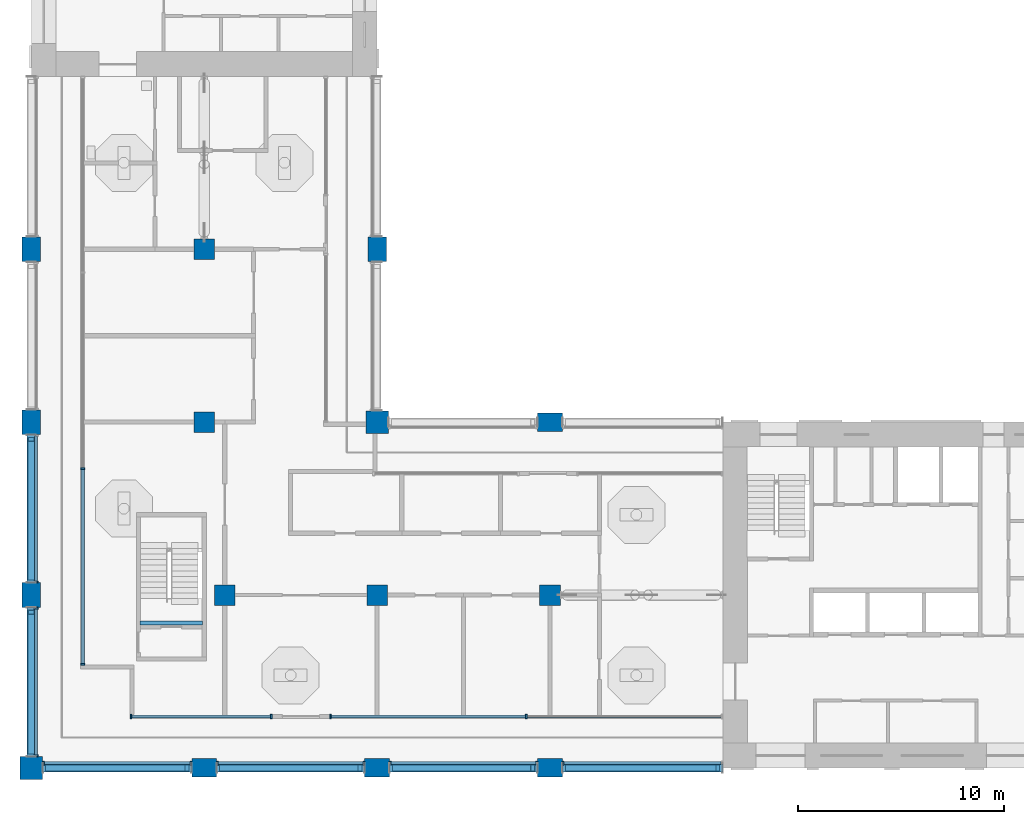
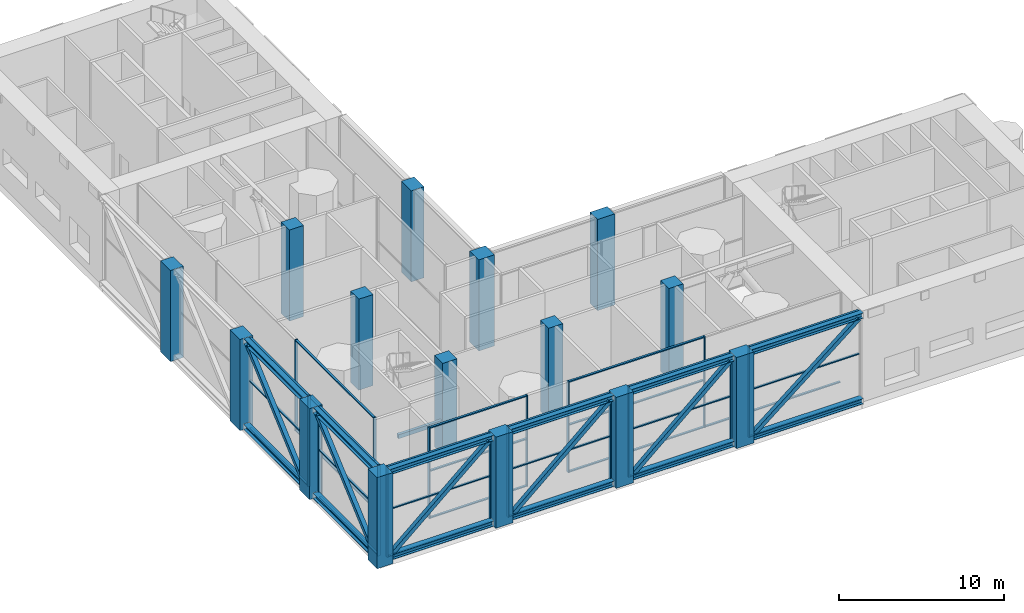
# One storey, part 1 of 20: 62 members, 15 columns, 1 beam, 9 elements without a shape of their own.
"""IFC4 building model written with IfcOpenShell, lengths in metres."""

import ifcopenshell
import ifcopenshell.guid

model = None  # the IFC model being written
_history = None  # IfcOwnerHistory: only IFC2X3 demands one
_inside = {}  # id of a spatial element -> (the spatial element, [elements in it])
_under = {}  # id of a project, library or spatial element -> (it, [spatial elements below it])
_declared = {}  # id of a project -> (the project, [libraries it declares])
_typed = {}  # id of a type object -> (the type object, [elements of that type])
_made_of = {}  # id of a material, layer set ... -> (it, [elements and type objects made of it])


def new_model(schema):
    """Start an empty IFC model of exactly this schema.

    Asked for "IFC4X3", IfcOpenShell would pick the latest addendum, in which some entities
    have other attributes; the version numbers below select the first issue.
    IFC2X3 requires an IfcOwnerHistory on every rooted entity: one is made here for all.
    """
    global model, _history
    if schema == "IFC4X3":
        model = ifcopenshell.file(schema_version=(4, 3, 0, 0))
    else:
        model = ifcopenshell.file(schema=schema)
    _inside.clear()
    _under.clear()
    _declared.clear()
    _typed.clear()
    _made_of.clear()
    _history = None
    if model.schema == "IFC2X3":
        org = make("IfcOrganization", Name="unknown")
        user = make(
            "IfcPersonAndOrganization",
            ThePerson=make("IfcPerson", FamilyName="unknown"),
            TheOrganization=org,
        )
        app = make(
            "IfcApplication",
            ApplicationDeveloper=org,
            Version="unknown",
            ApplicationFullName="unknown",
            ApplicationIdentifier="unknown",
        )
        _history = make(
            "IfcOwnerHistory",
            OwningUser=user,
            OwningApplication=app,
            ChangeAction="ADDED",
            CreationDate=0,
        )
    return model


def make(cls, **values):
    """One entity of the class cls with the attributes given. An attribute that is None is left unset."""
    return model.create_entity(
        cls, **{name: value for name, value in values.items() if value is not None}
    )


def rooted(cls, **values):
    """An entity with a GlobalId (a new one), such as an element, a storey or a relation."""
    return make(cls, GlobalId=ifcopenshell.guid.new(), OwnerHistory=_history, **values)


def si_unit(unit_type, name, prefix=None):
    """IfcSIUnit, for example si_unit("LENGTHUNIT", "METRE", prefix="MILLI")."""
    return make("IfcSIUnit", UnitType=unit_type, Prefix=prefix, Name=name)


def assignment(units):
    """IfcUnitAssignment: the units of a project."""
    return None if units is None else make("IfcUnitAssignment", Units=units)


def point(xyz):
    """IfcCartesianPoint."""
    return None if xyz is None else make("IfcCartesianPoint", Coordinates=xyz)


def direction(xyz):
    """IfcDirection."""
    return None if xyz is None else make("IfcDirection", DirectionRatios=xyz)


def frame(location, z_axis=None, x_axis=None):
    """IfcAxis2Placement3D, a coordinate frame: its origin and axes. An axis left out is left unset."""
    return make(
        "IfcAxis2Placement3D",
        Location=point(location),
        Axis=direction(z_axis),
        RefDirection=direction(x_axis),
    )


def frame_2d(location, x_axis=None):
    """IfcAxis2Placement2D, a coordinate frame in the plane: its origin and x axis."""
    return make(
        "IfcAxis2Placement2D", Location=point(location), RefDirection=direction(x_axis)
    )


def origin():
    """The frame at (0, 0, 0) with its axes left unset."""
    return frame((0.0, 0.0, 0.0))


def origin_2d():
    """The frame at (0, 0) in the plane with its x axis left unset."""
    return frame_2d((0.0, 0.0))


def place(relative_to, where):
    """IfcLocalPlacement: puts the frame where relative to a parent placement (None: the world)."""
    return make(
        "IfcLocalPlacement", PlacementRelTo=relative_to, RelativePlacement=where
    )


def context(
    kind, dimensions, precision=None, world=None, true_north=None, identifier=None
):
    """IfcGeometricRepresentationContext, for example the 3D "Model" context."""
    return make(
        "IfcGeometricRepresentationContext",
        ContextIdentifier=identifier,
        ContextType=kind,
        CoordinateSpaceDimension=dimensions,
        Precision=precision,
        WorldCoordinateSystem=world,
        TrueNorth=true_north,
    )


def subcontext(parent, identifier, kind, view, scale=None):
    """IfcGeometricRepresentationSubContext, for example "Body" below "Model"."""
    return make(
        "IfcGeometricRepresentationSubContext",
        ContextIdentifier=identifier,
        ContextType=kind,
        ParentContext=parent,
        TargetScale=scale,
        TargetView=view,
    )


def project(units=None, contexts=None):
    """IfcProject with its units and contexts."""
    return rooted(
        "IfcProject",
        Name="project",
        RepresentationContexts=contexts,
        UnitsInContext=assignment(units),
    )


def spatial(cls, under=None, at=None, **own):
    """A site, building, storey or space (cls), placed at a placement, below another one or the project."""
    s = rooted(cls, ObjectPlacement=at, **own)
    if under is not None:
        _under.setdefault(under.id(), (under, []))[1].append(s)
    return s


def profile(cls, at=None, kind="AREA", **sizes):
    """A parametric profile (cls). Its sizes go by their IFC names, for example OverallWidth=200.0."""
    return make(cls, ProfileType=kind, Position=at, **sizes)


def rectangle(**sizes):
    """IfcRectangleProfileDef."""
    return profile("IfcRectangleProfileDef", **sizes)


def hollow_rectangle(**sizes):
    """IfcRectangleHollowProfileDef."""
    return profile("IfcRectangleHollowProfileDef", **sizes)


def i_section(**sizes):
    """IfcIShapeProfileDef."""
    return profile("IfcIShapeProfileDef", **sizes)


def extrude(swept, where, along, depth):
    """IfcExtrudedAreaSolid: the profile swept, set in the frame where, extruded along a direction by depth."""
    return make(
        "IfcExtrudedAreaSolid",
        SweptArea=swept,
        Position=where,
        ExtrudedDirection=direction(along),
        Depth=depth,
    )


def shape(context_of_items, identifier, shape_type, items):
    """IfcShapeRepresentation: the items that make up one representation, for example the "Body"."""
    return make(
        "IfcShapeRepresentation",
        ContextOfItems=context_of_items,
        RepresentationIdentifier=identifier,
        RepresentationType=shape_type,
        Items=items,
    )


def material(Name=None, Category=None):
    """IfcMaterial."""
    return make("IfcMaterial", Name=Name, Category=Category)


def material_profile(
    of_material, cross_section, Name=None, Category=None, Priority=None
):
    """IfcMaterialProfile: a cross section and its material."""
    return make(
        "IfcMaterialProfile",
        Name=Name,
        Material=of_material,
        Profile=cross_section,
        Priority=Priority,
        Category=Category,
    )


def profile_set(profiles, Name=None, composite=None):
    """IfcMaterialProfileSet."""
    return make(
        "IfcMaterialProfileSet",
        Name=Name,
        MaterialProfiles=profiles,
        CompositeProfile=composite,
    )


def made_of(thing, what):
    """Note that an element or type object is made of a material, layer set ...; save() writes the relation."""
    if what is not None:
        _made_of.setdefault(what.id(), (what, []))[1].append(thing)
    return thing


def type_object(cls, material=None, **own):
    """A type object (cls), such as IfcWallType, which elements share."""
    return made_of(rooted(cls, **own), material)


def element(
    cls,
    number,
    at=None,
    inside=None,
    cuts=None,
    type_object=None,
    material=None,
    context=None,
    identifier="Body",
    shape_type=None,
    held_by="IfcProductDefinitionShape",
    body=None,
    shapes=None,
    **own,
):
    """One element of the class cls, such as IfcWall. Its Tag is "e" and its number.

    at: its placement. inside: the storey or other place that contains it. cuts: it is an
    opening in that element (IfcRelVoidsElement). A single representation is given by context,
    identifier, shape_type and body (its items); several are given by shapes. held_by: the class
    of the entity that holds the representations. save() writes the other relations.
    """
    e = rooted(cls, Tag="e%d" % number, ObjectPlacement=at, **own)
    if body is not None:
        shapes = [shape(context, identifier, shape_type, body)]
    if shapes is not None:
        e.Representation = make(held_by, Representations=shapes)
    if inside is not None:
        _inside.setdefault(inside.id(), (inside, []))[1].append(e)
    if cuts is not None:
        rooted(
            "IfcRelVoidsElement", RelatingBuildingElement=cuts, RelatedOpeningElement=e
        )
    if type_object is not None:
        _typed.setdefault(type_object.id(), (type_object, []))[1].append(e)
    return made_of(e, material)


def aggregate(whole, parts):
    """IfcRelAggregates: a whole, such as a stair, and the parts it consists of."""
    return rooted("IfcRelAggregates", RelatingObject=whole, RelatedObjects=parts)


def save(model, path):
    """Write the relations noted so far, then the file.

    IfcRelAggregates (storeys below a building ...), IfcRelContainedInSpatialStructure (elements
    in a storey), IfcRelDefinesByType, IfcRelAssociatesMaterial and IfcRelDeclares: one each for
    every whole, place, type object, material and project.
    """
    for whole, parts in _under.values():
        aggregate(whole, parts)
    for where, things in _inside.values():
        rooted(
            "IfcRelContainedInSpatialStructure",
            RelatedElements=things,
            RelatingStructure=where,
        )
    for kind, things in _typed.values():
        rooted("IfcRelDefinesByType", RelatedObjects=things, RelatingType=kind)
    for what, things in _made_of.values():
        rooted("IfcRelAssociatesMaterial", RelatedObjects=things, RelatingMaterial=what)
    for by, libraries in _declared.values():
        rooted("IfcRelDeclares", RelatingContext=by, RelatedDefinitions=libraries)
    model.write(path)


model = new_model("IFC4")

# Units and contexts
model_context = context("Model", 3, precision=1e-05, world=origin(), true_north=direction((0.0, 1.0)))
body_context = subcontext(model_context, "Body", "Model", "MODEL_VIEW")
ifc_project = project(units=[si_unit("LENGTHUNIT", "METRE"), si_unit("AREAUNIT", "SQUARE_METRE"), si_unit("VOLUMEUNIT", "CUBIC_METRE"), si_unit("PLANEANGLEUNIT", "RADIAN"), si_unit("MASSUNIT", "GRAM", prefix="KILO")], contexts=[model_context])

# Site, building, storey
site_placement = place(None, origin())
site = spatial("IfcSite", under=ifc_project, at=site_placement, CompositionType="ELEMENT")
building_placement = place(site_placement, origin())
building = spatial("IfcBuilding", under=site, at=building_placement, Name="Vermilion Gate Residences", CompositionType="ELEMENT")
storey_placement = place(building_placement, frame((0.0, 0.0, 207.199951171875)))
storey = spatial("IfcBuildingStorey", under=building, at=storey_placement, Name="L54", CompositionType="ELEMENT", Elevation=207.199951171875)

# Columns
ifc_material_1 = material(Name="Concrete C60", Category="concrete")
ifc_material_profile_1 = material_profile(ifc_material_1, rectangle(XDim=1.0, YDim=1.0, at=origin_2d()), Name="RC-1000x1000")
ifc_profile_set_1 = profile_set([ifc_material_profile_1], Name="Concrete C60")
column_type_1 = type_object("IfcColumnType", Name="RC COLUMN 1000 X 1000 C60", PredefinedType="COLUMN", material=ifc_profile_set_1)
for number, where, z_axis, x_axis, name in (
    (1, (17.800048828125, 16.800048828125, 0.0), (0.0, 0.0, 1.0), (1.0, 0.0, 0.0), "Column 3-C L54"),
    (2, (16.800048828125, 25.199951171875, 0.0), (0.0, 0.0, 1.0), (1.0, 0.0, 0.0), "Column 3-D L54"),
    (3, (16.800048828125, 33.60009765625, 0.0), (0.0, 0.0, 1.0), (1.0, 0.0, 0.0), "Column 3-E L54"),
    (4, (25.199951171875, 16.800048828125, 0.0), (0.0, 0.0, 1.0), (1.0, 0.0, 0.0), "Column 4-C L54"),
    (5, (33.60009765625, 16.800048828125, 0.0), (0.0, 0.0, 1.0), (1.0, 0.0, 0.0), "Column 5-C L54"),
):
    element("IfcColumn", number, at=place(storey_placement, frame(where, z_axis=z_axis, x_axis=x_axis)), inside=storey, type_object=column_type_1, Name=name, PredefinedType="COLUMN", context=body_context, shape_type="SweptSolid", body=[
        extrude(rectangle(XDim=1.0, YDim=1.0, at=origin_2d()), origin(), (0.0, 0.0, 1.0), 6.719970703125),
    ])
ifc_material_2 = material(Name="Concrete C60", Category="concrete")
ifc_material_profile_2 = material_profile(ifc_material_2, rectangle(XDim=1.10009765625, YDim=1.10009765625, at=origin_2d()), Name="RC-1100x1100")
ifc_profile_set_2 = profile_set([ifc_material_profile_2], Name="Concrete C60")
column_type_2 = type_object("IfcColumnType", Name="RC COLUMN 1100 X 1100 C60", PredefinedType="COLUMN", material=ifc_profile_set_2)
for number, where, z_axis, x_axis, name in (
    (6, (8.39990234375, 8.39990234375, 0.0), (0.0, 0.0, 1.0), (1.0, 0.0, 0.0), "Column 2-B L54"),
    (7, (25.199951171875, 25.199951171875, 0.0), (0.0, 0.0, 1.0), (1.0, 0.0, 0.0), "Column 4-D L54"),
):
    element("IfcColumn", number, at=place(storey_placement, frame(where, z_axis=z_axis, x_axis=x_axis)), inside=storey, type_object=column_type_2, Name=name, PredefinedType="COLUMN", context=body_context, shape_type="SweptSolid", body=[
        extrude(rectangle(XDim=1.10009765625, YDim=1.10009765625, at=origin_2d()), origin(), (0.0, 0.0, 1.0), 6.719970703125),
    ])
ifc_material_3 = material(Name="Concrete C60", Category="concrete")
ifc_material_profile_3 = material_profile(ifc_material_3, rectangle(XDim=1.199951171875, YDim=0.89990234375, at=origin_2d()), Name="RC-1200x900")
ifc_profile_set_3 = profile_set([ifc_material_profile_3], Name="Concrete C60")
column_type_3 = type_object("IfcColumnType", Name="RC COLUMN 1200 X 900 C60", PredefinedType="COLUMN", material=ifc_profile_set_3)
for number, where, z_axis, x_axis, name in (
    (8, (8.39990234375, 16.800048828125, 0.0), (0.0, 0.0, 1.0), (0.0, 1.0, 0.0), "Column 2-C L54"),
    (9, (8.39990234375, 25.199951171875, 0.0), (0.0, 0.0, 1.0), (0.0, 1.0, 0.0), "Column 2-D L54"),
    (10, (8.39990234375, 33.60009765625, 0.0), (0.0, 0.0, 1.0), (0.0, 1.0, 0.0), "Column 2-E L54"),
    (11, (16.800048828125, 8.39990234375, 0.0), (0.0, 0.0, 1.0), (1.0, 0.0, 0.0), "Column 3-B L54"),
    (12, (25.199951171875, 8.39990234375, 0.0), (0.0, 0.0, 1.0), (1.0, 0.0, 0.0), "Column 4-B L54"),
    (13, (25.199951171875, 33.60009765625, 0.0), (0.0, 0.0, 1.0), (0.0, 1.0, 0.0), "Column 4-E L54"),
    (14, (33.60009765625, 8.39990234375, 0.0), (0.0, 0.0, 1.0), (1.0, 0.0, 0.0), "Column 5-B L54"),
    (15, (33.60009765625, 25.199951171875, 0.0), (0.0, 0.0, 1.0), (1.0, 0.0, 0.0), "Column 5-D L54"),
):
    element("IfcColumn", number, at=place(storey_placement, frame(where, z_axis=z_axis, x_axis=x_axis)), inside=storey, type_object=column_type_3, Name=name, PredefinedType="COLUMN", context=body_context, shape_type="SweptSolid", body=[
        extrude(rectangle(XDim=1.199951171875, YDim=0.89990234375, at=origin_2d()), origin(), (0.0, 0.0, 1.0), 6.719970703125),
    ])

# Beam
ifc_material_4 = material(Name="Concrete C50", Category="concrete")
ifc_material_profile_4 = material_profile(ifc_material_4, rectangle(XDim=0.199951171875, YDim=0.300048828125, at=origin_2d()), Name="RC-200x300")
ifc_profile_set_4 = profile_set([ifc_material_profile_4], Name="Concrete C50")
beam_type = type_object("IfcBeamType", Name="RC LANDING BEAM 200 X 300 C50", PredefinedType="BEAM", material=ifc_profile_set_4)
beam_placement = place(storey_placement, frame((13.679931640625, 15.449951171875, 3.150146484375), z_axis=(1.0, 0.0, 0.0), x_axis=(0.0, 1.0, 0.0)))
element("IfcBeam", 16, at=beam_placement, inside=storey, type_object=beam_type, Name="Landing beam STC1-54 2", PredefinedType="BEAM", context=body_context, shape_type="SweptSolid", body=[
    extrude(rectangle(XDim=0.199951171875, YDim=0.300048828125, at=origin_2d()), origin(), (0.0, 0.0, 1.0), 3.0400390625),
])

# Curtain wall, members
ifc_material_5 = material(Name="Aluminium and glass", Category="aluminium")
curtain_wall_type = type_object("IfcCurtainWallType", Name="SKY GARDEN GLAZING CURTAIN WALL", PredefinedType="NOTDEFINED", material=ifc_material_5)
curtain_wall_1_placement = place(storey_placement, origin())
curtain_wall_1 = element("IfcCurtainWall", 17, at=curtain_wall_1_placement, inside=storey, type_object=curtain_wall_type, Name="Sky Garden Glazing 0", PredefinedType="NOTDEFINED")
ifc_material_6 = material(Name="Aluminium", Category="aluminium")
ifc_material_profile_5 = material_profile(ifc_material_6, rectangle(XDim=0.199951171875, YDim=0.080078125, at=origin_2d()), Name="MULLION 80 X 200")
ifc_profile_set_5 = profile_set([ifc_material_profile_5], Name="Aluminium")
member_type_1 = type_object("IfcMemberType", Name="SKY GARDEN GLAZING MULLION 80 X 200", PredefinedType="MULLION", material=ifc_profile_set_5)
member_1_placement = place(storey_placement, frame((10.89990234375, 22.933349609375, 0.0), z_axis=(0.0, 0.0, 1.0), x_axis=(1.0, 0.0, 0.0)))
member_1 = element("IfcMember", 18, at=member_1_placement, type_object=member_type_1, Name="ECW3 mullion 3", PredefinedType="MULLION", context=body_context, shape_type="SweptSolid", body=[
    extrude(rectangle(XDim=0.199951171875, YDim=0.080078125, at=origin_2d()), origin(), (0.0, 0.0, 1.0), 6.719970703125),
])
member_2_placement = place(storey_placement, frame((10.89990234375, 13.43994140625, 0.0), z_axis=(0.0, 0.0, 1.0), x_axis=(1.0, 0.0, 0.0)))
member_2 = element("IfcMember", 19, at=member_2_placement, type_object=member_type_1, Name="ECW3 mullion 4", PredefinedType="MULLION", context=body_context, shape_type="SweptSolid", body=[
    extrude(rectangle(XDim=0.199951171875, YDim=0.080078125, at=origin_2d()), origin(), (0.0, 0.0, 1.0), 6.719970703125),
])

curtain_wall_2_placement = place(storey_placement, origin())
curtain_wall_2 = element("IfcCurtainWall", 20, at=curtain_wall_2_placement, inside=storey, type_object=curtain_wall_type, Name="Sky Garden Glazing 30", PredefinedType="NOTDEFINED")
member_3_placement = place(storey_placement, frame((13.239990234375, 10.89990234375, 0.0), z_axis=(0.0, 0.0, 1.0), x_axis=(0.0, 1.0, 0.0)))
member_3 = element("IfcMember", 21, at=member_3_placement, type_object=member_type_1, Name="ECW3 mullion 1", PredefinedType="MULLION", context=body_context, shape_type="SweptSolid", body=[
    extrude(rectangle(XDim=0.199951171875, YDim=0.080078125, at=origin_2d()), origin(), (0.0, 0.0, 1.0), 6.719970703125),
])
member_4_placement = place(storey_placement, frame((20.06005859375, 10.89990234375, 0.0), z_axis=(0.0, 0.0, 1.0), x_axis=(0.0, 1.0, 0.0)))
member_4 = element("IfcMember", 22, at=member_4_placement, type_object=member_type_1, Name="ECW3 mullion 2", PredefinedType="MULLION", context=body_context, shape_type="SweptSolid", body=[
    extrude(rectangle(XDim=0.199951171875, YDim=0.080078125, at=origin_2d()), origin(), (0.0, 0.0, 1.0), 6.719970703125),
])

curtain_wall_3_placement = place(storey_placement, origin())
curtain_wall_3 = element("IfcCurtainWall", 23, at=curtain_wall_3_placement, inside=storey, type_object=curtain_wall_type, Name="Sky Garden Glazing 32", PredefinedType="NOTDEFINED")
member_5_placement = place(storey_placement, frame((22.93994140625, 10.89990234375, 0.0), z_axis=(0.0, 0.0, 1.0), x_axis=(0.0, 1.0, 0.0)))
member_5 = element("IfcMember", 24, at=member_5_placement, type_object=member_type_1, Name="ECW3 mullion 1", PredefinedType="MULLION", context=body_context, shape_type="SweptSolid", body=[
    extrude(rectangle(XDim=0.199951171875, YDim=0.080078125, at=origin_2d()), origin(), (0.0, 0.0, 1.0), 6.719970703125),
])
member_6_placement = place(storey_placement, frame((32.449951171875, 10.89990234375, 0.0), z_axis=(0.0, 0.0, 1.0), x_axis=(0.0, 1.0, 0.0)))
member_6 = element("IfcMember", 25, at=member_6_placement, type_object=member_type_1, Name="ECW3 mullion 2", PredefinedType="MULLION", context=body_context, shape_type="SweptSolid", body=[
    extrude(rectangle(XDim=0.199951171875, YDim=0.080078125, at=origin_2d()), origin(), (0.0, 0.0, 1.0), 6.719970703125),
])

# Curtain wall, member
curtain_wall_4_placement = place(storey_placement, origin())
curtain_wall_4 = element("IfcCurtainWall", 26, at=curtain_wall_4_placement, inside=storey, type_object=curtain_wall_type, Name="Sky Garden Glazing 502", PredefinedType="NOTDEFINED")
member_7_placement = place(storey_placement, frame((8.6298828125, 17.43994140625, 0.0), z_axis=(0.0, 0.0, 1.0), x_axis=(1.0, 0.0, 0.0)))
member_7 = element("IfcMember", 27, at=member_7_placement, type_object=member_type_1, Name="ECW3 mullion 2", PredefinedType="MULLION", context=body_context, shape_type="SweptSolid", body=[
    extrude(rectangle(XDim=0.199951171875, YDim=0.080078125, at=origin_2d()), origin(), (0.0, 0.0, 1.0), 6.719970703125),
])

# Curtain wall, members
curtain_wall_5_placement = place(storey_placement, origin())
curtain_wall_5 = element("IfcCurtainWall", 28, at=curtain_wall_5_placement, inside=storey, type_object=curtain_wall_type, Name="Sky Garden Glazing 503", PredefinedType="NOTDEFINED")
member_8_placement = place(storey_placement, frame((8.6298828125, 16.159912109375, 0.0), z_axis=(0.0, 0.0, 1.0), x_axis=(1.0, 0.0, 0.0)))
member_8 = element("IfcMember", 29, at=member_8_placement, type_object=member_type_1, Name="ECW3 mullion 1", PredefinedType="MULLION", context=body_context, shape_type="SweptSolid", body=[
    extrude(rectangle(XDim=0.199951171875, YDim=0.080078125, at=origin_2d()), origin(), (0.0, 0.0, 1.0), 6.719970703125),
])
member_9_placement = place(storey_placement, frame((8.6298828125, 8.989990234375, 0.0), z_axis=(0.0, 0.0, 1.0), x_axis=(1.0, 0.0, 0.0)))
member_9 = element("IfcMember", 30, at=member_9_placement, type_object=member_type_1, Name="ECW3 mullion 2", PredefinedType="MULLION", context=body_context, shape_type="SweptSolid", body=[
    extrude(rectangle(XDim=0.199951171875, YDim=0.080078125, at=origin_2d()), origin(), (0.0, 0.0, 1.0), 6.719970703125),
])

curtain_wall_6_placement = place(storey_placement, origin())
curtain_wall_6 = element("IfcCurtainWall", 31, at=curtain_wall_6_placement, inside=storey, type_object=curtain_wall_type, Name="Sky Garden Glazing 504", PredefinedType="NOTDEFINED")
member_10_placement = place(storey_placement, frame((8.989990234375, 8.6298828125, 0.0), z_axis=(0.0, 0.0, 1.0), x_axis=(0.0, 1.0, 0.0)))
member_10 = element("IfcMember", 32, at=member_10_placement, type_object=member_type_1, Name="ECW3 mullion 1", PredefinedType="MULLION", context=body_context, shape_type="SweptSolid", body=[
    extrude(rectangle(XDim=0.199951171875, YDim=0.080078125, at=origin_2d()), origin(), (0.0, 0.0, 1.0), 6.719970703125),
])
member_11_placement = place(storey_placement, frame((16.159912109375, 8.6298828125, 0.0), z_axis=(0.0, 0.0, 1.0), x_axis=(0.0, 1.0, 0.0)))
member_11 = element("IfcMember", 33, at=member_11_placement, type_object=member_type_1, Name="ECW3 mullion 2", PredefinedType="MULLION", context=body_context, shape_type="SweptSolid", body=[
    extrude(rectangle(XDim=0.199951171875, YDim=0.080078125, at=origin_2d()), origin(), (0.0, 0.0, 1.0), 6.719970703125),
])

curtain_wall_7_placement = place(storey_placement, origin())
curtain_wall_7 = element("IfcCurtainWall", 34, at=curtain_wall_7_placement, inside=storey, type_object=curtain_wall_type, Name="Sky Garden Glazing 505", PredefinedType="NOTDEFINED")
member_12_placement = place(storey_placement, frame((17.43994140625, 8.6298828125, 0.0), z_axis=(0.0, 0.0, 1.0), x_axis=(0.0, 1.0, 0.0)))
member_12 = element("IfcMember", 35, at=member_12_placement, type_object=member_type_1, Name="ECW3 mullion 1", PredefinedType="MULLION", context=body_context, shape_type="SweptSolid", body=[
    extrude(rectangle(XDim=0.199951171875, YDim=0.080078125, at=origin_2d()), origin(), (0.0, 0.0, 1.0), 6.719970703125),
])
member_13_placement = place(storey_placement, frame((24.56005859375, 8.6298828125, 0.0), z_axis=(0.0, 0.0, 1.0), x_axis=(0.0, 1.0, 0.0)))
member_13 = element("IfcMember", 36, at=member_13_placement, type_object=member_type_1, Name="ECW3 mullion 2", PredefinedType="MULLION", context=body_context, shape_type="SweptSolid", body=[
    extrude(rectangle(XDim=0.199951171875, YDim=0.080078125, at=origin_2d()), origin(), (0.0, 0.0, 1.0), 6.719970703125),
])

curtain_wall_8_placement = place(storey_placement, origin())
curtain_wall_8 = element("IfcCurtainWall", 37, at=curtain_wall_8_placement, inside=storey, type_object=curtain_wall_type, Name="Sky Garden Glazing 506", PredefinedType="NOTDEFINED")
member_14_placement = place(storey_placement, frame((25.840087890625, 8.6298828125, 0.0), z_axis=(0.0, 0.0, 1.0), x_axis=(0.0, 1.0, 0.0)))
member_14 = element("IfcMember", 38, at=member_14_placement, type_object=member_type_1, Name="ECW3 mullion 1", PredefinedType="MULLION", context=body_context, shape_type="SweptSolid", body=[
    extrude(rectangle(XDim=0.199951171875, YDim=0.080078125, at=origin_2d()), origin(), (0.0, 0.0, 1.0), 6.719970703125),
])
member_15_placement = place(storey_placement, frame((32.9599609375, 8.6298828125, 0.0), z_axis=(0.0, 0.0, 1.0), x_axis=(0.0, 1.0, 0.0)))
member_15 = element("IfcMember", 39, at=member_15_placement, type_object=member_type_1, Name="ECW3 mullion 2", PredefinedType="MULLION", context=body_context, shape_type="SweptSolid", body=[
    extrude(rectangle(XDim=0.199951171875, YDim=0.080078125, at=origin_2d()), origin(), (0.0, 0.0, 1.0), 6.719970703125),
])

# Curtain wall, member
curtain_wall_9_placement = place(storey_placement, origin())
curtain_wall_9 = element("IfcCurtainWall", 40, at=curtain_wall_9_placement, inside=storey, type_object=curtain_wall_type, Name="Sky Garden Glazing 507", PredefinedType="NOTDEFINED")
member_16_placement = place(storey_placement, frame((34.239990234375, 8.6298828125, 0.0), z_axis=(0.0, 0.0, 1.0), x_axis=(0.0, 1.0, 0.0)))
member_16 = element("IfcMember", 41, at=member_16_placement, type_object=member_type_1, Name="ECW3 mullion 1", PredefinedType="MULLION", context=body_context, shape_type="SweptSolid", body=[
    extrude(rectangle(XDim=0.199951171875, YDim=0.080078125, at=origin_2d()), origin(), (0.0, 0.0, 1.0), 6.719970703125),
])

# Member
ifc_material_7 = material(Name="Aluminium", Category="aluminium")
ifc_material_profile_6 = material_profile(ifc_material_7, rectangle(XDim=0.14990234375, YDim=0.080078125, at=origin_2d()), Name="TRANSOM 80 X 150")
ifc_profile_set_6 = profile_set([ifc_material_profile_6], Name="Aluminium")
member_type_2 = type_object("IfcMemberType", Name="SKY GARDEN GLAZING TRANSOM 80 X 150", PredefinedType="MULLION", material=ifc_profile_set_6)
member_17_placement = place(storey_placement, frame((10.89990234375, 22.893310546875, 0.0400390625), z_axis=(0.0, -1.0, 0.0), x_axis=(1.0, 0.0, 0.0)))
member_17 = element("IfcMember", 42, at=member_17_placement, type_object=member_type_2, Name="ECW3 transom 3.1", PredefinedType="MULLION", context=body_context, shape_type="SweptSolid", body=[
    extrude(rectangle(XDim=0.14990234375, YDim=0.080078125, at=origin_2d()), origin(), (0.0, 0.0, 1.0), 9.413330078125),
])

member_18_placement = place(storey_placement, frame((10.89990234375, 22.893310546875, 3.5), z_axis=(0.0, -1.0, 0.0), x_axis=(1.0, 0.0, 0.0)))
member_18 = element("IfcMember", 43, at=member_18_placement, type_object=member_type_2, Name="ECW3 transom 3.2", PredefinedType="MULLION", context=body_context, shape_type="SweptSolid", body=[
    extrude(rectangle(XDim=0.14990234375, YDim=0.080078125, at=origin_2d()), origin(), (0.0, 0.0, 1.0), 9.413330078125),
])

member_19_placement = place(storey_placement, frame((10.89990234375, 22.893310546875, 6.679931640625), z_axis=(0.0, -1.0, 0.0), x_axis=(1.0, 0.0, 0.0)))
member_19 = element("IfcMember", 44, at=member_19_placement, type_object=member_type_2, Name="ECW3 transom 3.3", PredefinedType="MULLION", context=body_context, shape_type="SweptSolid", body=[
    extrude(rectangle(XDim=0.14990234375, YDim=0.080078125, at=origin_2d()), origin(), (0.0, 0.0, 1.0), 9.413330078125),
])

aggregate(curtain_wall_1, [member_1, member_2, member_17, member_18, member_19])

member_20_placement = place(storey_placement, frame((13.280029296875, 10.89990234375, 0.0400390625), z_axis=(1.0, 0.0, 0.0), x_axis=(0.0, 1.0, 0.0)))
member_20 = element("IfcMember", 45, at=member_20_placement, type_object=member_type_2, Name="ECW3 transom 1.1", PredefinedType="MULLION", context=body_context, shape_type="SweptSolid", body=[
    extrude(rectangle(XDim=0.14990234375, YDim=0.080078125, at=origin_2d()), origin(), (0.0, 0.0, 1.0), 6.739990234375),
])

member_21_placement = place(storey_placement, frame((13.280029296875, 10.89990234375, 3.5), z_axis=(1.0, 0.0, 0.0), x_axis=(0.0, 1.0, 0.0)))
member_21 = element("IfcMember", 46, at=member_21_placement, type_object=member_type_2, Name="ECW3 transom 1.2", PredefinedType="MULLION", context=body_context, shape_type="SweptSolid", body=[
    extrude(rectangle(XDim=0.14990234375, YDim=0.080078125, at=origin_2d()), origin(), (0.0, 0.0, 1.0), 6.739990234375),
])

member_22_placement = place(storey_placement, frame((13.280029296875, 10.89990234375, 6.679931640625), z_axis=(1.0, 0.0, 0.0), x_axis=(0.0, 1.0, 0.0)))
member_22 = element("IfcMember", 47, at=member_22_placement, type_object=member_type_2, Name="ECW3 transom 1.3", PredefinedType="MULLION", context=body_context, shape_type="SweptSolid", body=[
    extrude(rectangle(XDim=0.14990234375, YDim=0.080078125, at=origin_2d()), origin(), (0.0, 0.0, 1.0), 6.739990234375),
])

aggregate(curtain_wall_2, [member_3, member_4, member_20, member_21, member_22])

member_23_placement = place(storey_placement, frame((22.97998046875, 10.89990234375, 0.0400390625), z_axis=(1.0, 0.0, 0.0), x_axis=(0.0, 1.0, 0.0)))
member_23 = element("IfcMember", 48, at=member_23_placement, type_object=member_type_2, Name="ECW3 transom 1.1", PredefinedType="MULLION", context=body_context, shape_type="SweptSolid", body=[
    extrude(rectangle(XDim=0.14990234375, YDim=0.080078125, at=origin_2d()), origin(), (0.0, 0.0, 1.0), 9.429931640625),
])

member_24_placement = place(storey_placement, frame((22.97998046875, 10.89990234375, 3.5), z_axis=(1.0, 0.0, 0.0), x_axis=(0.0, 1.0, 0.0)))
member_24 = element("IfcMember", 49, at=member_24_placement, type_object=member_type_2, Name="ECW3 transom 1.2", PredefinedType="MULLION", context=body_context, shape_type="SweptSolid", body=[
    extrude(rectangle(XDim=0.14990234375, YDim=0.080078125, at=origin_2d()), origin(), (0.0, 0.0, 1.0), 9.429931640625),
])

member_25_placement = place(storey_placement, frame((22.97998046875, 10.89990234375, 6.679931640625), z_axis=(1.0, 0.0, 0.0), x_axis=(0.0, 1.0, 0.0)))
member_25 = element("IfcMember", 50, at=member_25_placement, type_object=member_type_2, Name="ECW3 transom 1.3", PredefinedType="MULLION", context=body_context, shape_type="SweptSolid", body=[
    extrude(rectangle(XDim=0.14990234375, YDim=0.080078125, at=origin_2d()), origin(), (0.0, 0.0, 1.0), 9.429931640625),
])

member_26_placement = place(storey_placement, frame((32.489990234375, 10.89990234375, 0.0400390625), z_axis=(1.0, 0.0, 0.0), x_axis=(0.0, 1.0, 0.0)))
member_26 = element("IfcMember", 51, at=member_26_placement, type_object=member_type_2, Name="ECW3 transom 2.1", PredefinedType="MULLION", context=body_context, shape_type="SweptSolid", body=[
    extrude(rectangle(XDim=0.14990234375, YDim=0.080078125, at=origin_2d()), origin(), (0.0, 0.0, 1.0), 9.429931640625),
])

aggregate(curtain_wall_3, [member_5, member_6, member_23, member_24, member_25, member_26])

member_27_placement = place(storey_placement, frame((8.6298828125, 24.52001953125, 0.0400390625), z_axis=(0.0, -1.0, 0.0), x_axis=(1.0, 0.0, 0.0)))
member_27 = element("IfcMember", 52, at=member_27_placement, type_object=member_type_2, Name="ECW3 transom 1.1", PredefinedType="MULLION", context=body_context, shape_type="SweptSolid", body=[
    extrude(rectangle(XDim=0.14990234375, YDim=0.080078125, at=origin_2d()), origin(), (0.0, 0.0, 1.0), 7.0400390625),
])

member_28_placement = place(storey_placement, frame((8.6298828125, 24.52001953125, 3.5), z_axis=(0.0, -1.0, 0.0), x_axis=(1.0, 0.0, 0.0)))
member_28 = element("IfcMember", 53, at=member_28_placement, type_object=member_type_2, Name="ECW3 transom 1.2", PredefinedType="MULLION", context=body_context, shape_type="SweptSolid", body=[
    extrude(rectangle(XDim=0.14990234375, YDim=0.080078125, at=origin_2d()), origin(), (0.0, 0.0, 1.0), 7.0400390625),
])

member_29_placement = place(storey_placement, frame((8.6298828125, 24.52001953125, 6.679931640625), z_axis=(0.0, -1.0, 0.0), x_axis=(1.0, 0.0, 0.0)))
member_29 = element("IfcMember", 54, at=member_29_placement, type_object=member_type_2, Name="ECW3 transom 1.3", PredefinedType="MULLION", context=body_context, shape_type="SweptSolid", body=[
    extrude(rectangle(XDim=0.14990234375, YDim=0.080078125, at=origin_2d()), origin(), (0.0, 0.0, 1.0), 7.0400390625),
])

aggregate(curtain_wall_4, [member_7, member_27, member_28, member_29])

member_30_placement = place(storey_placement, frame((8.6298828125, 16.1201171875, 0.0400390625), z_axis=(0.0, -1.0, 0.0), x_axis=(1.0, 0.0, 0.0)))
member_30 = element("IfcMember", 55, at=member_30_placement, type_object=member_type_2, Name="ECW3 transom 1.1", PredefinedType="MULLION", context=body_context, shape_type="SweptSolid", body=[
    extrude(rectangle(XDim=0.14990234375, YDim=0.080078125, at=origin_2d()), origin(), (0.0, 0.0, 1.0), 7.090087890625),
])

member_31_placement = place(storey_placement, frame((8.6298828125, 16.1201171875, 3.5), z_axis=(0.0, -1.0, 0.0), x_axis=(1.0, 0.0, 0.0)))
member_31 = element("IfcMember", 56, at=member_31_placement, type_object=member_type_2, Name="ECW3 transom 1.2", PredefinedType="MULLION", context=body_context, shape_type="SweptSolid", body=[
    extrude(rectangle(XDim=0.14990234375, YDim=0.080078125, at=origin_2d()), origin(), (0.0, 0.0, 1.0), 7.090087890625),
])

member_32_placement = place(storey_placement, frame((8.6298828125, 16.1201171875, 6.679931640625), z_axis=(0.0, -1.0, 0.0), x_axis=(1.0, 0.0, 0.0)))
member_32 = element("IfcMember", 57, at=member_32_placement, type_object=member_type_2, Name="ECW3 transom 1.3", PredefinedType="MULLION", context=body_context, shape_type="SweptSolid", body=[
    extrude(rectangle(XDim=0.14990234375, YDim=0.080078125, at=origin_2d()), origin(), (0.0, 0.0, 1.0), 7.090087890625),
])

aggregate(curtain_wall_5, [member_8, member_9, member_30, member_31, member_32])

member_33_placement = place(storey_placement, frame((9.030029296875, 8.6298828125, 0.0400390625), z_axis=(1.0, 0.0, 0.0), x_axis=(0.0, 1.0, 0.0)))
member_33 = element("IfcMember", 58, at=member_33_placement, type_object=member_type_2, Name="ECW3 transom 1.1", PredefinedType="MULLION", context=body_context, shape_type="SweptSolid", body=[
    extrude(rectangle(XDim=0.14990234375, YDim=0.080078125, at=origin_2d()), origin(), (0.0, 0.0, 1.0), 7.090087890625),
])

member_34_placement = place(storey_placement, frame((9.030029296875, 8.6298828125, 3.5), z_axis=(1.0, 0.0, 0.0), x_axis=(0.0, 1.0, 0.0)))
member_34 = element("IfcMember", 59, at=member_34_placement, type_object=member_type_2, Name="ECW3 transom 1.2", PredefinedType="MULLION", context=body_context, shape_type="SweptSolid", body=[
    extrude(rectangle(XDim=0.14990234375, YDim=0.080078125, at=origin_2d()), origin(), (0.0, 0.0, 1.0), 7.090087890625),
])

member_35_placement = place(storey_placement, frame((9.030029296875, 8.6298828125, 6.679931640625), z_axis=(1.0, 0.0, 0.0), x_axis=(0.0, 1.0, 0.0)))
member_35 = element("IfcMember", 60, at=member_35_placement, type_object=member_type_2, Name="ECW3 transom 1.3", PredefinedType="MULLION", context=body_context, shape_type="SweptSolid", body=[
    extrude(rectangle(XDim=0.14990234375, YDim=0.080078125, at=origin_2d()), origin(), (0.0, 0.0, 1.0), 7.090087890625),
])

aggregate(curtain_wall_6, [member_10, member_11, member_33, member_34, member_35])

member_36_placement = place(storey_placement, frame((17.47998046875, 8.6298828125, 0.0400390625), z_axis=(1.0, 0.0, 0.0), x_axis=(0.0, 1.0, 0.0)))
member_36 = element("IfcMember", 61, at=member_36_placement, type_object=member_type_2, Name="ECW3 transom 1.1", PredefinedType="MULLION", context=body_context, shape_type="SweptSolid", body=[
    extrude(rectangle(XDim=0.14990234375, YDim=0.080078125, at=origin_2d()), origin(), (0.0, 0.0, 1.0), 7.0400390625),
])

member_37_placement = place(storey_placement, frame((17.47998046875, 8.6298828125, 3.5), z_axis=(1.0, 0.0, 0.0), x_axis=(0.0, 1.0, 0.0)))
member_37 = element("IfcMember", 62, at=member_37_placement, type_object=member_type_2, Name="ECW3 transom 1.2", PredefinedType="MULLION", context=body_context, shape_type="SweptSolid", body=[
    extrude(rectangle(XDim=0.14990234375, YDim=0.080078125, at=origin_2d()), origin(), (0.0, 0.0, 1.0), 7.0400390625),
])

member_38_placement = place(storey_placement, frame((17.47998046875, 8.6298828125, 6.679931640625), z_axis=(1.0, 0.0, 0.0), x_axis=(0.0, 1.0, 0.0)))
member_38 = element("IfcMember", 63, at=member_38_placement, type_object=member_type_2, Name="ECW3 transom 1.3", PredefinedType="MULLION", context=body_context, shape_type="SweptSolid", body=[
    extrude(rectangle(XDim=0.14990234375, YDim=0.080078125, at=origin_2d()), origin(), (0.0, 0.0, 1.0), 7.0400390625),
])

aggregate(curtain_wall_7, [member_12, member_13, member_36, member_37, member_38])

member_39_placement = place(storey_placement, frame((25.8798828125, 8.6298828125, 0.0400390625), z_axis=(1.0, 0.0, 0.0), x_axis=(0.0, 1.0, 0.0)))
member_39 = element("IfcMember", 64, at=member_39_placement, type_object=member_type_2, Name="ECW3 transom 1.1", PredefinedType="MULLION", context=body_context, shape_type="SweptSolid", body=[
    extrude(rectangle(XDim=0.14990234375, YDim=0.080078125, at=origin_2d()), origin(), (0.0, 0.0, 1.0), 7.0400390625),
])

member_40_placement = place(storey_placement, frame((25.8798828125, 8.6298828125, 3.5), z_axis=(1.0, 0.0, 0.0), x_axis=(0.0, 1.0, 0.0)))
member_40 = element("IfcMember", 65, at=member_40_placement, type_object=member_type_2, Name="ECW3 transom 1.2", PredefinedType="MULLION", context=body_context, shape_type="SweptSolid", body=[
    extrude(rectangle(XDim=0.14990234375, YDim=0.080078125, at=origin_2d()), origin(), (0.0, 0.0, 1.0), 7.0400390625),
])

member_41_placement = place(storey_placement, frame((25.8798828125, 8.6298828125, 6.679931640625), z_axis=(1.0, 0.0, 0.0), x_axis=(0.0, 1.0, 0.0)))
member_41 = element("IfcMember", 66, at=member_41_placement, type_object=member_type_2, Name="ECW3 transom 1.3", PredefinedType="MULLION", context=body_context, shape_type="SweptSolid", body=[
    extrude(rectangle(XDim=0.14990234375, YDim=0.080078125, at=origin_2d()), origin(), (0.0, 0.0, 1.0), 7.0400390625),
])

aggregate(curtain_wall_8, [member_14, member_15, member_39, member_40, member_41])

member_42_placement = place(storey_placement, frame((34.280029296875, 8.6298828125, 0.0400390625), z_axis=(1.0, 0.0, 0.0), x_axis=(0.0, 1.0, 0.0)))
member_42 = element("IfcMember", 67, at=member_42_placement, type_object=member_type_2, Name="ECW3 transom 1.1", PredefinedType="MULLION", context=body_context, shape_type="SweptSolid", body=[
    extrude(rectangle(XDim=0.14990234375, YDim=0.080078125, at=origin_2d()), origin(), (0.0, 0.0, 1.0), 7.639892578125),
])

member_43_placement = place(storey_placement, frame((34.280029296875, 8.6298828125, 3.5), z_axis=(1.0, 0.0, 0.0), x_axis=(0.0, 1.0, 0.0)))
member_43 = element("IfcMember", 68, at=member_43_placement, type_object=member_type_2, Name="ECW3 transom 1.2", PredefinedType="MULLION", context=body_context, shape_type="SweptSolid", body=[
    extrude(rectangle(XDim=0.14990234375, YDim=0.080078125, at=origin_2d()), origin(), (0.0, 0.0, 1.0), 7.639892578125),
])

member_44_placement = place(storey_placement, frame((34.280029296875, 8.6298828125, 6.679931640625), z_axis=(1.0, 0.0, 0.0), x_axis=(0.0, 1.0, 0.0)))
member_44 = element("IfcMember", 69, at=member_44_placement, type_object=member_type_2, Name="ECW3 transom 1.3", PredefinedType="MULLION", context=body_context, shape_type="SweptSolid", body=[
    extrude(rectangle(XDim=0.14990234375, YDim=0.080078125, at=origin_2d()), origin(), (0.0, 0.0, 1.0), 7.639892578125),
])

aggregate(curtain_wall_9, [member_16, member_42, member_43, member_44])

# Members
ifc_material_8 = material(Name="Steel SM490", Category="steel")
ifc_material_profile_7 = material_profile(ifc_material_8, i_section(OverallWidth=0.39990234375, OverallDepth=0.39990234375, WebThickness=0.012939453125, FlangeThickness=0.02099609375, at=origin_2d()), Name="H-400x400x13x21")
ifc_profile_set_7 = profile_set([ifc_material_profile_7], Name="Steel SM490")
member_type_3 = type_object("IfcMemberType", Name="STEEL BELT TRUSS CHORD H-400x400x13x21 SM490", PredefinedType="CHORD", material=ifc_profile_set_7)
for number, where, z_axis, x_axis, name in (
    (70, (8.949951171875, 8.39990234375, 0.199951171875), (1.0, 0.0, 0.0), (0.0, 1.0, 0.0), "Belt Truss chord bot L54 BELT37"),
    (71, (8.949951171875, 8.39990234375, 6.52001953125), (1.0, 0.0, 0.0), (0.0, 1.0, 0.0), "Belt Truss chord top L54 BELT37"),
    (72, (8.39990234375, 8.949951171875, 0.199951171875), (0.0, 1.0, 0.0), (-1.0, 0.0, 0.0), "Belt Truss chord bot L54 BELT38"),
    (73, (8.39990234375, 8.949951171875, 6.52001953125), (0.0, 1.0, 0.0), (-1.0, 0.0, 0.0), "Belt Truss chord top L54 BELT38"),
):
    element("IfcMember", number, at=place(storey_placement, frame(where, z_axis=z_axis, x_axis=x_axis)), inside=storey, type_object=member_type_3, Name=name, PredefinedType="CHORD", context=body_context, shape_type="SweptSolid", body=[
        extrude(i_section(OverallWidth=0.39990234375, OverallDepth=0.39990234375, WebThickness=0.012939453125, FlangeThickness=0.02099609375, at=origin_2d()), origin(), (0.0, 0.0, 1.0), 7.25),
    ])
for number, where, z_axis, x_axis, name in (
    (74, (8.39990234375, 17.39990234375, 0.199951171875), (0.0, 1.0, 0.0), (-1.0, 0.0, 0.0), "Belt Truss chord bot L54 BELT39"),
    (75, (8.39990234375, 17.39990234375, 6.52001953125), (0.0, 1.0, 0.0), (-1.0, 0.0, 0.0), "Belt Truss chord top L54 BELT39"),
    (76, (17.39990234375, 8.39990234375, 0.199951171875), (1.0, 0.0, 0.0), (0.0, 1.0, 0.0), "Belt Truss chord bot L54 BELT42"),
    (77, (17.39990234375, 8.39990234375, 6.52001953125), (1.0, 0.0, 0.0), (0.0, 1.0, 0.0), "Belt Truss chord top L54 BELT42"),
):
    element("IfcMember", number, at=place(storey_placement, frame(where, z_axis=z_axis, x_axis=x_axis)), inside=storey, type_object=member_type_3, Name=name, PredefinedType="CHORD", context=body_context, shape_type="SweptSolid", body=[
        extrude(i_section(OverallWidth=0.39990234375, OverallDepth=0.39990234375, WebThickness=0.012939453125, FlangeThickness=0.02099609375, at=origin_2d()), origin(), (0.0, 0.0, 1.0), 7.2001953125),
    ])
for number, where, z_axis, x_axis, name in (
    (78, (25.800048828125, 8.39990234375, 0.199951171875), (1.0, 0.0, 0.0), (0.0, 1.0, 0.0), "Belt Truss chord bot L54 BELT45"),
    (79, (25.800048828125, 8.39990234375, 6.52001953125), (1.0, 0.0, 0.0), (0.0, 1.0, 0.0), "Belt Truss chord top L54 BELT45"),
):
    element("IfcMember", number, at=place(storey_placement, frame(where, z_axis=z_axis, x_axis=x_axis)), inside=storey, type_object=member_type_3, Name=name, PredefinedType="CHORD", context=body_context, shape_type="SweptSolid", body=[
        extrude(i_section(OverallWidth=0.39990234375, OverallDepth=0.39990234375, WebThickness=0.012939453125, FlangeThickness=0.02099609375, at=origin_2d()), origin(), (0.0, 0.0, 1.0), 7.199951171875),
    ])
for number, where, z_axis, x_axis, name in (
    (80, (34.199951171875, 8.39990234375, 0.199951171875), (1.0, 0.0, 0.0), (0.0, 1.0, 0.0), "Belt Truss chord bot L54 BELT47"),
    (81, (34.199951171875, 8.39990234375, 6.52001953125), (1.0, 0.0, 0.0), (0.0, 1.0, 0.0), "Belt Truss chord top L54 BELT47"),
):
    element("IfcMember", number, at=place(storey_placement, frame(where, z_axis=z_axis, x_axis=x_axis)), inside=storey, type_object=member_type_3, Name=name, PredefinedType="CHORD", context=body_context, shape_type="SweptSolid", body=[
        extrude(i_section(OverallWidth=0.39990234375, OverallDepth=0.39990234375, WebThickness=0.012939453125, FlangeThickness=0.02099609375, at=origin_2d()), origin(), (0.0, 0.0, 1.0), 7.800048828125),
    ])
ifc_material_9 = material(Name="Steel SM490", Category="steel")
ifc_material_profile_8 = material_profile(ifc_material_9, hollow_rectangle(XDim=0.300048828125, YDim=0.300048828125, WallThickness=0.011962890625, at=origin_2d()), Name="BOX-300x300x12")
ifc_profile_set_8 = profile_set([ifc_material_profile_8], Name="Steel SM490")
member_type_4 = type_object("IfcMemberType", Name="STEEL BELT TRUSS DIAGONAL BOX-300x300x12 SM490", PredefinedType="BRACE", material=ifc_profile_set_8)
for number, where, z_axis, x_axis, name in (
    (82, (9.187255859375, 8.39990234375, 0.400146484375), (0.753058907428, 0.0, 0.657953100109), (0.0, 1.0, 0.0), "Belt Truss diagonal L54 BELT37-1"),
    (83, (8.39990234375, 9.187255859375, 0.400146484375), (0.0, 0.753058907428, 0.657953100109), (-1.0, 0.0, 0.0), "Belt Truss diagonal L54 BELT38-1"),
):
    element("IfcMember", number, at=place(storey_placement, frame(where, z_axis=z_axis, x_axis=x_axis)), inside=storey, type_object=member_type_4, Name=name, PredefinedType="BRACE", context=body_context, shape_type="SweptSolid", body=[
        extrude(hollow_rectangle(XDim=0.300048828125, YDim=0.300048828125, WallThickness=0.011962890625, at=origin_2d()), origin(), (0.0, 0.0, 1.0), 8.99755859375),
    ])
for number, where, z_axis, x_axis, name in (
    (84, (8.39990234375, 17.63623046875, 0.400146484375), (0.0, 0.750730811212, 0.660608241772), (-1.0, 0.0, 0.0), "Belt Truss diagonal L54 BELT39-1"),
    (85, (17.63623046875, 8.39990234375, 0.400146484375), (0.750730811212, 0.0, 0.660608241772), (0.0, 1.0, 0.0), "Belt Truss diagonal L54 BELT42-1"),
    (86, (26.0361328125, 8.39990234375, 0.400146484375), (0.75074270014, 0.0, 0.660594730668), (0.0, 1.0, 0.0), "Belt Truss diagonal L54 BELT45-1"),
):
    element("IfcMember", number, at=place(storey_placement, frame(where, z_axis=z_axis, x_axis=x_axis)), inside=storey, type_object=member_type_4, Name=name, PredefinedType="BRACE", context=body_context, shape_type="SweptSolid", body=[
        extrude(hollow_rectangle(XDim=0.300048828125, YDim=0.300048828125, WallThickness=0.011962890625, at=origin_2d()), origin(), (0.0, 0.0, 1.0), 8.96142578125),
    ])
member_45_placement = place(storey_placement, frame((34.447998046875, 8.39990234375, 0.400146484375), z_axis=(0.776870409527, 0.0, 0.629660517105), x_axis=(0.0, 1.0, 0.0)))
element("IfcMember", 87, at=member_45_placement, inside=storey, type_object=member_type_4, Name="Belt Truss diagonal L54 BELT47-1", PredefinedType="BRACE", context=body_context, shape_type="SweptSolid", body=[
    extrude(hollow_rectangle(XDim=0.300048828125, YDim=0.300048828125, WallThickness=0.011962890625, at=origin_2d()), origin(), (0.0, 0.0, 1.0), 9.40185546875),
])

save(model, "model.ifc")
